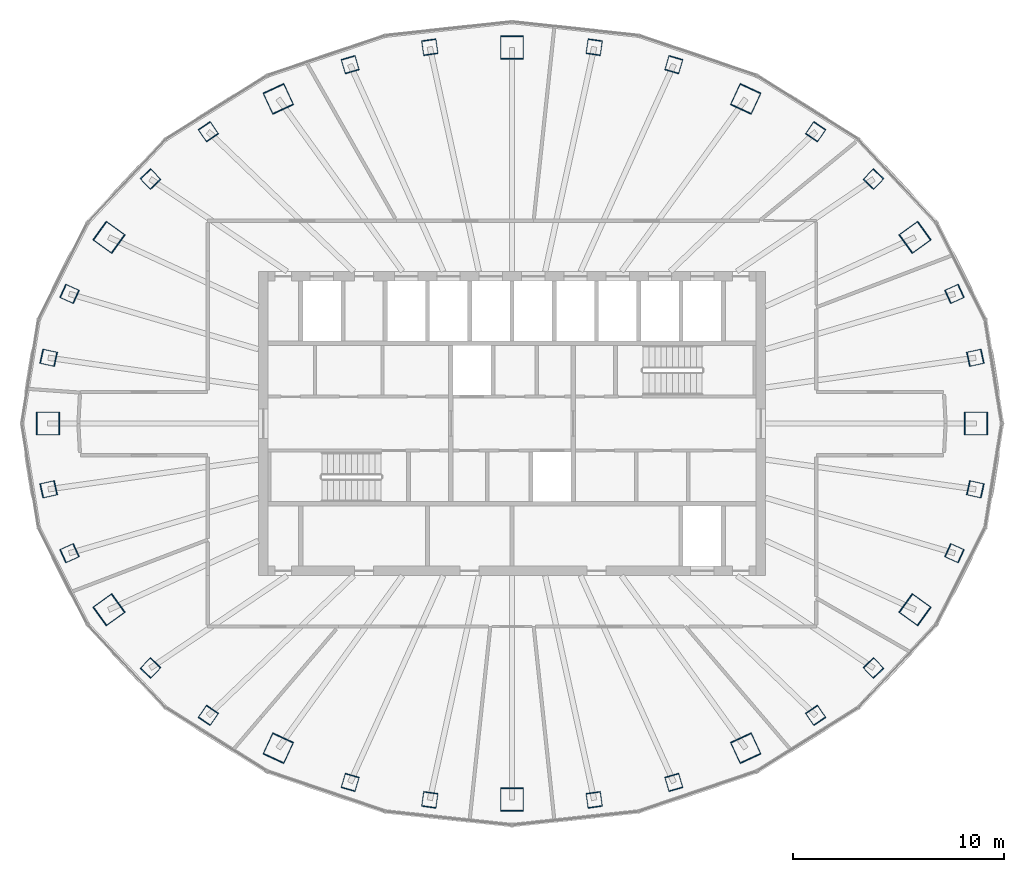
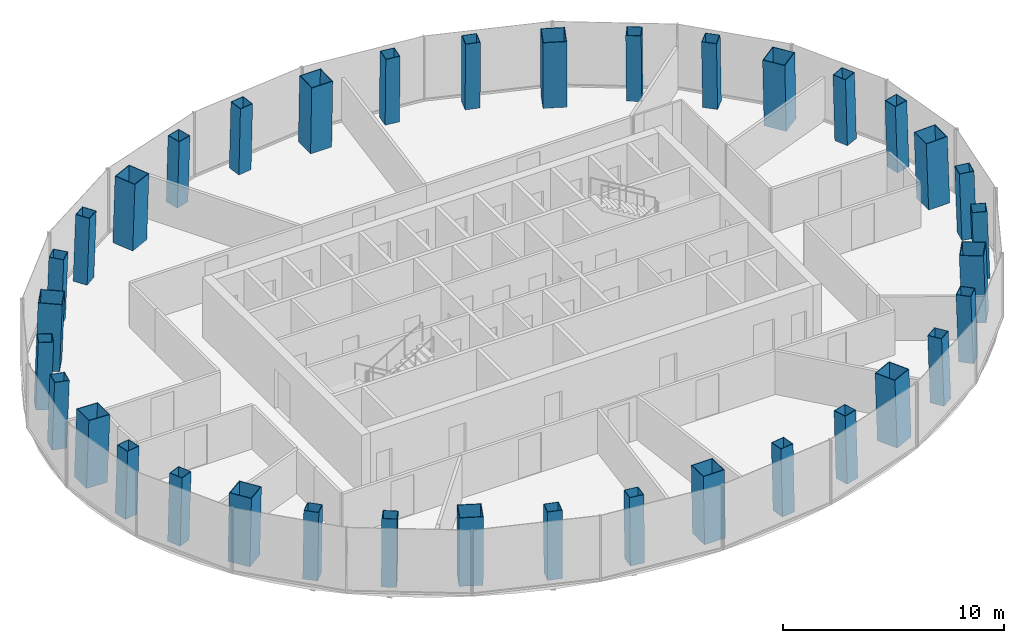
# One storey, part 1 of 11: 36 columns.
"""IFC4 building model written with IfcOpenShell, lengths in metres."""

import ifcopenshell
import ifcopenshell.guid

model = None  # the IFC model being written
_history = None  # IfcOwnerHistory: only IFC2X3 demands one
_inside = {}  # id of a spatial element -> (the spatial element, [elements in it])
_under = {}  # id of a project, library or spatial element -> (it, [spatial elements below it])
_declared = {}  # id of a project -> (the project, [libraries it declares])
_typed = {}  # id of a type object -> (the type object, [elements of that type])
_made_of = {}  # id of a material, layer set ... -> (it, [elements and type objects made of it])


def new_model(schema):
    """Start an empty IFC model of exactly this schema.

    Asked for "IFC4X3", IfcOpenShell would pick the latest addendum, in which some entities
    have other attributes; the version numbers below select the first issue.
    IFC2X3 requires an IfcOwnerHistory on every rooted entity: one is made here for all.
    """
    global model, _history
    if schema == "IFC4X3":
        model = ifcopenshell.file(schema_version=(4, 3, 0, 0))
    else:
        model = ifcopenshell.file(schema=schema)
    _inside.clear()
    _under.clear()
    _declared.clear()
    _typed.clear()
    _made_of.clear()
    _history = None
    if model.schema == "IFC2X3":
        org = make("IfcOrganization", Name="unknown")
        user = make(
            "IfcPersonAndOrganization",
            ThePerson=make("IfcPerson", FamilyName="unknown"),
            TheOrganization=org,
        )
        app = make(
            "IfcApplication",
            ApplicationDeveloper=org,
            Version="unknown",
            ApplicationFullName="unknown",
            ApplicationIdentifier="unknown",
        )
        _history = make(
            "IfcOwnerHistory",
            OwningUser=user,
            OwningApplication=app,
            ChangeAction="ADDED",
            CreationDate=0,
        )
    return model


def make(cls, **values):
    """One entity of the class cls with the attributes given. An attribute that is None is left unset."""
    return model.create_entity(
        cls, **{name: value for name, value in values.items() if value is not None}
    )


def rooted(cls, **values):
    """An entity with a GlobalId (a new one), such as an element, a storey or a relation."""
    return make(cls, GlobalId=ifcopenshell.guid.new(), OwnerHistory=_history, **values)


def si_unit(unit_type, name, prefix=None):
    """IfcSIUnit, for example si_unit("LENGTHUNIT", "METRE", prefix="MILLI")."""
    return make("IfcSIUnit", UnitType=unit_type, Prefix=prefix, Name=name)


def assignment(units):
    """IfcUnitAssignment: the units of a project."""
    return None if units is None else make("IfcUnitAssignment", Units=units)


def point(xyz):
    """IfcCartesianPoint."""
    return None if xyz is None else make("IfcCartesianPoint", Coordinates=xyz)


def direction(xyz):
    """IfcDirection."""
    return None if xyz is None else make("IfcDirection", DirectionRatios=xyz)


def frame(location, z_axis=None, x_axis=None):
    """IfcAxis2Placement3D, a coordinate frame: its origin and axes. An axis left out is left unset."""
    return make(
        "IfcAxis2Placement3D",
        Location=point(location),
        Axis=direction(z_axis),
        RefDirection=direction(x_axis),
    )


def frame_2d(location, x_axis=None):
    """IfcAxis2Placement2D, a coordinate frame in the plane: its origin and x axis."""
    return make(
        "IfcAxis2Placement2D", Location=point(location), RefDirection=direction(x_axis)
    )


def origin():
    """The frame at (0, 0, 0) with its axes left unset."""
    return frame((0.0, 0.0, 0.0))


def origin_2d():
    """The frame at (0, 0) in the plane with its x axis left unset."""
    return frame_2d((0.0, 0.0))


def place(relative_to, where):
    """IfcLocalPlacement: puts the frame where relative to a parent placement (None: the world)."""
    return make(
        "IfcLocalPlacement", PlacementRelTo=relative_to, RelativePlacement=where
    )


def context(
    kind, dimensions, precision=None, world=None, true_north=None, identifier=None
):
    """IfcGeometricRepresentationContext, for example the 3D "Model" context."""
    return make(
        "IfcGeometricRepresentationContext",
        ContextIdentifier=identifier,
        ContextType=kind,
        CoordinateSpaceDimension=dimensions,
        Precision=precision,
        WorldCoordinateSystem=world,
        TrueNorth=true_north,
    )


def subcontext(parent, identifier, kind, view, scale=None):
    """IfcGeometricRepresentationSubContext, for example "Body" below "Model"."""
    return make(
        "IfcGeometricRepresentationSubContext",
        ContextIdentifier=identifier,
        ContextType=kind,
        ParentContext=parent,
        TargetScale=scale,
        TargetView=view,
    )


def project(units=None, contexts=None):
    """IfcProject with its units and contexts."""
    return rooted(
        "IfcProject",
        Name="project",
        RepresentationContexts=contexts,
        UnitsInContext=assignment(units),
    )


def spatial(cls, under=None, at=None, **own):
    """A site, building, storey or space (cls), placed at a placement, below another one or the project."""
    s = rooted(cls, ObjectPlacement=at, **own)
    if under is not None:
        _under.setdefault(under.id(), (under, []))[1].append(s)
    return s


def profile(cls, at=None, kind="AREA", **sizes):
    """A parametric profile (cls). Its sizes go by their IFC names, for example OverallWidth=200.0."""
    return make(cls, ProfileType=kind, Position=at, **sizes)


def hollow_rectangle(**sizes):
    """IfcRectangleHollowProfileDef."""
    return profile("IfcRectangleHollowProfileDef", **sizes)


def extrude(swept, where, along, depth):
    """IfcExtrudedAreaSolid: the profile swept, set in the frame where, extruded along a direction by depth."""
    return make(
        "IfcExtrudedAreaSolid",
        SweptArea=swept,
        Position=where,
        ExtrudedDirection=direction(along),
        Depth=depth,
    )


def shape(context_of_items, identifier, shape_type, items):
    """IfcShapeRepresentation: the items that make up one representation, for example the "Body"."""
    return make(
        "IfcShapeRepresentation",
        ContextOfItems=context_of_items,
        RepresentationIdentifier=identifier,
        RepresentationType=shape_type,
        Items=items,
    )


def material(Name=None, Category=None):
    """IfcMaterial."""
    return make("IfcMaterial", Name=Name, Category=Category)


def material_profile(
    of_material, cross_section, Name=None, Category=None, Priority=None
):
    """IfcMaterialProfile: a cross section and its material."""
    return make(
        "IfcMaterialProfile",
        Name=Name,
        Material=of_material,
        Profile=cross_section,
        Priority=Priority,
        Category=Category,
    )


def profile_set(profiles, Name=None, composite=None):
    """IfcMaterialProfileSet."""
    return make(
        "IfcMaterialProfileSet",
        Name=Name,
        MaterialProfiles=profiles,
        CompositeProfile=composite,
    )


def made_of(thing, what):
    """Note that an element or type object is made of a material, layer set ...; save() writes the relation."""
    if what is not None:
        _made_of.setdefault(what.id(), (what, []))[1].append(thing)
    return thing


def type_object(cls, material=None, **own):
    """A type object (cls), such as IfcWallType, which elements share."""
    return made_of(rooted(cls, **own), material)


def element(
    cls,
    number,
    at=None,
    inside=None,
    cuts=None,
    type_object=None,
    material=None,
    context=None,
    identifier="Body",
    shape_type=None,
    held_by="IfcProductDefinitionShape",
    body=None,
    shapes=None,
    **own,
):
    """One element of the class cls, such as IfcWall. Its Tag is "e" and its number.

    at: its placement. inside: the storey or other place that contains it. cuts: it is an
    opening in that element (IfcRelVoidsElement). A single representation is given by context,
    identifier, shape_type and body (its items); several are given by shapes. held_by: the class
    of the entity that holds the representations. save() writes the other relations.
    """
    e = rooted(cls, Tag="e%d" % number, ObjectPlacement=at, **own)
    if body is not None:
        shapes = [shape(context, identifier, shape_type, body)]
    if shapes is not None:
        e.Representation = make(held_by, Representations=shapes)
    if inside is not None:
        _inside.setdefault(inside.id(), (inside, []))[1].append(e)
    if cuts is not None:
        rooted(
            "IfcRelVoidsElement", RelatingBuildingElement=cuts, RelatedOpeningElement=e
        )
    if type_object is not None:
        _typed.setdefault(type_object.id(), (type_object, []))[1].append(e)
    return made_of(e, material)


def aggregate(whole, parts):
    """IfcRelAggregates: a whole, such as a stair, and the parts it consists of."""
    return rooted("IfcRelAggregates", RelatingObject=whole, RelatedObjects=parts)


def save(model, path):
    """Write the relations noted so far, then the file.

    IfcRelAggregates (storeys below a building ...), IfcRelContainedInSpatialStructure (elements
    in a storey), IfcRelDefinesByType, IfcRelAssociatesMaterial and IfcRelDeclares: one each for
    every whole, place, type object, material and project.
    """
    for whole, parts in _under.values():
        aggregate(whole, parts)
    for where, things in _inside.values():
        rooted(
            "IfcRelContainedInSpatialStructure",
            RelatedElements=things,
            RelatingStructure=where,
        )
    for kind, things in _typed.values():
        rooted("IfcRelDefinesByType", RelatedObjects=things, RelatingType=kind)
    for what, things in _made_of.values():
        rooted("IfcRelAssociatesMaterial", RelatedObjects=things, RelatingMaterial=what)
    for by, libraries in _declared.values():
        rooted("IfcRelDeclares", RelatingContext=by, RelatedDefinitions=libraries)
    model.write(path)


model = new_model("IFC4")

# Units and contexts
model_context = context("Model", 3, precision=1e-05, world=origin(), true_north=direction((0.0, 1.0)))
body_context = subcontext(model_context, "Body", "Model", "MODEL_VIEW")
ifc_project = project(units=[si_unit("LENGTHUNIT", "METRE"), si_unit("AREAUNIT", "SQUARE_METRE"), si_unit("VOLUMEUNIT", "CUBIC_METRE"), si_unit("PLANEANGLEUNIT", "RADIAN"), si_unit("MASSUNIT", "GRAM", prefix="KILO")], contexts=[model_context])

# Site, building, storey
site_placement = place(None, origin())
site = spatial("IfcSite", under=ifc_project, at=site_placement, CompositionType="ELEMENT")
building_placement = place(site_placement, origin())
building = spatial("IfcBuilding", under=site, at=building_placement, Name="Siaravel Broadcast Tower", CompositionType="ELEMENT")
storey_placement = place(building_placement, frame((0.0, 0.0, 186.699951171875)))
storey = spatial("IfcBuildingStorey", under=building, at=storey_placement, Name="L45", CompositionType="ELEMENT", Elevation=186.699951171875)

# Columns
ifc_material = material(Name="Concrete C60/75", Category="concrete")
ifc_material_profile_1 = material_profile(ifc_material, hollow_rectangle(XDim=1.10009765625, YDim=1.10009765625, WallThickness=0.031982421875, at=origin_2d()))
ifc_profile_set_1 = profile_set([ifc_material_profile_1], Name="Concrete C60/75")
column_type_1 = type_object("IfcColumnType", Name="COL-CFT BOX 1100x1100x32", PredefinedType="COLUMN", material=ifc_profile_set_1)
column_1_placement = place(storey_placement, frame((21.98046875, 0.0, 0.0), z_axis=(-0.034621265, 0.0, 0.999400504), x_axis=(0.0, -1.0, 0.0)))
element("IfcColumn", 1, at=column_1_placement, inside=storey, type_object=column_type_1, Name="Megacolumn MC01", PredefinedType="COLUMN", context=body_context, shape_type="SweptSolid", body=[
    extrude(hollow_rectangle(XDim=1.10009765625, YDim=1.10009765625, WallThickness=0.031982421875, at=origin_2d()), origin(), (0.0, 0.0, 1.0), 3.7021484375),
])
column_2_placement = place(storey_placement, frame((19.089111328125, 8.819091796875, 0.0), z_axis=(-0.029940667, -0.01417895, 0.999451106), x_axis=(0.583774225, -0.811894089, 0.005970061)))
element("IfcColumn", 2, at=column_2_placement, inside=storey, type_object=column_type_1, Name="Megacolumn MC02", PredefinedType="COLUMN", context=body_context, shape_type="SweptSolid", body=[
    extrude(hollow_rectangle(XDim=1.10009765625, YDim=1.10009765625, WallThickness=0.031982421875, at=origin_2d()), origin(), (0.0, 0.0, 1.0), 3.701904296875),
])
column_3_placement = place(storey_placement, frame((11.070068359375, 15.378173828125, 0.0), z_axis=(-0.017346173, -0.024535271, 0.999548463), x_axis=(0.907569861, -0.419865826, 0.0054438)))
element("IfcColumn", 3, at=column_3_placement, inside=storey, type_object=column_type_1, Name="Megacolumn MC03", PredefinedType="COLUMN", context=body_context, shape_type="SweptSolid", body=[
    extrude(hollow_rectangle(XDim=1.10009765625, YDim=1.10009765625, WallThickness=0.031982421875, at=origin_2d()), origin(), (0.0, 0.0, 1.0), 3.70166015625),
])
column_4_placement = place(storey_placement, frame((0.0, 17.805419921875, 0.0), z_axis=(0.0, -0.028296154, 0.999599584), x_axis=(1.0, 0.0, 0.0)))
element("IfcColumn", 4, at=column_4_placement, inside=storey, type_object=column_type_1, Name="Megacolumn MC04", PredefinedType="COLUMN", context=body_context, shape_type="SweptSolid", body=[
    extrude(hollow_rectangle(XDim=1.10009765625, YDim=1.10009765625, WallThickness=0.031982421875, at=origin_2d()), origin(), (0.0, 0.0, 1.0), 3.701416015625),
])
column_5_placement = place(storey_placement, frame((-11.070068359375, 15.378173828125, 0.0), z_axis=(0.017346173, -0.024535271, 0.999548463), x_axis=(0.907569861, 0.419865826, -0.0054438)))
element("IfcColumn", 5, at=column_5_placement, inside=storey, type_object=column_type_1, Name="Megacolumn MC05", PredefinedType="COLUMN", context=body_context, shape_type="SweptSolid", body=[
    extrude(hollow_rectangle(XDim=1.10009765625, YDim=1.10009765625, WallThickness=0.031982421875, at=origin_2d()), origin(), (0.0, 0.0, 1.0), 3.70166015625),
])
column_6_placement = place(storey_placement, frame((-19.089111328125, 8.819091796875, 0.0), z_axis=(0.029940667, -0.01417895, 0.999451106), x_axis=(0.583774225, 0.811894089, -0.005970061)))
element("IfcColumn", 6, at=column_6_placement, inside=storey, type_object=column_type_1, Name="Megacolumn MC06", PredefinedType="COLUMN", context=body_context, shape_type="SweptSolid", body=[
    extrude(hollow_rectangle(XDim=1.10009765625, YDim=1.10009765625, WallThickness=0.031982421875, at=origin_2d()), origin(), (0.0, 0.0, 1.0), 3.701904296875),
])
column_7_placement = place(storey_placement, frame((-21.98046875, 0.0, 0.0), z_axis=(0.034621265, 0.0, 0.999400504), x_axis=(0.0, 1.0, 0.0)))
element("IfcColumn", 7, at=column_7_placement, inside=storey, type_object=column_type_1, Name="Megacolumn MC07", PredefinedType="COLUMN", context=body_context, shape_type="SweptSolid", body=[
    extrude(hollow_rectangle(XDim=1.10009765625, YDim=1.10009765625, WallThickness=0.031982421875, at=origin_2d()), origin(), (0.0, 0.0, 1.0), 3.7021484375),
])
column_8_placement = place(storey_placement, frame((-19.089111328125, -8.819091796875, 0.0), z_axis=(0.029940667, 0.01417895, 0.999451106), x_axis=(-0.583774225, 0.811894089, 0.005970061)))
element("IfcColumn", 8, at=column_8_placement, inside=storey, type_object=column_type_1, Name="Megacolumn MC08", PredefinedType="COLUMN", context=body_context, shape_type="SweptSolid", body=[
    extrude(hollow_rectangle(XDim=1.10009765625, YDim=1.10009765625, WallThickness=0.031982421875, at=origin_2d()), origin(), (0.0, 0.0, 1.0), 3.701904296875),
])
column_9_placement = place(storey_placement, frame((-11.070068359375, -15.378173828125, 0.0), z_axis=(0.017346173, 0.024535271, 0.999548463), x_axis=(-0.907569861, 0.419865826, 0.0054438)))
element("IfcColumn", 9, at=column_9_placement, inside=storey, type_object=column_type_1, Name="Megacolumn MC09", PredefinedType="COLUMN", context=body_context, shape_type="SweptSolid", body=[
    extrude(hollow_rectangle(XDim=1.10009765625, YDim=1.10009765625, WallThickness=0.031982421875, at=origin_2d()), origin(), (0.0, 0.0, 1.0), 3.70166015625),
])
column_10_placement = place(storey_placement, frame((0.0, -17.805419921875, 0.0), z_axis=(0.0, 0.028296154, 0.999599584), x_axis=(-1.0, 0.0, 0.0)))
element("IfcColumn", 10, at=column_10_placement, inside=storey, type_object=column_type_1, Name="Megacolumn MC10", PredefinedType="COLUMN", context=body_context, shape_type="SweptSolid", body=[
    extrude(hollow_rectangle(XDim=1.10009765625, YDim=1.10009765625, WallThickness=0.031982421875, at=origin_2d()), origin(), (0.0, 0.0, 1.0), 3.701416015625),
])
column_11_placement = place(storey_placement, frame((11.070068359375, -15.378173828125, 0.0), z_axis=(-0.017346173, 0.024535271, 0.999548463), x_axis=(-0.907569861, -0.419865826, -0.0054438)))
element("IfcColumn", 11, at=column_11_placement, inside=storey, type_object=column_type_1, Name="Megacolumn MC11", PredefinedType="COLUMN", context=body_context, shape_type="SweptSolid", body=[
    extrude(hollow_rectangle(XDim=1.10009765625, YDim=1.10009765625, WallThickness=0.031982421875, at=origin_2d()), origin(), (0.0, 0.0, 1.0), 3.70166015625),
])
column_12_placement = place(storey_placement, frame((19.089111328125, -8.819091796875, 0.0), z_axis=(-0.029940667, 0.01417895, 0.999451106), x_axis=(-0.583774225, -0.811894089, -0.005970061)))
element("IfcColumn", 12, at=column_12_placement, inside=storey, type_object=column_type_1, Name="Megacolumn MC12", PredefinedType="COLUMN", context=body_context, shape_type="SweptSolid", body=[
    extrude(hollow_rectangle(XDim=1.10009765625, YDim=1.10009765625, WallThickness=0.031982421875, at=origin_2d()), origin(), (0.0, 0.0, 1.0), 3.701904296875),
])
ifc_material_profile_2 = material_profile(ifc_material, hollow_rectangle(XDim=0.699951171875, YDim=0.699951171875, WallThickness=0.02490234375, at=origin_2d()))
ifc_profile_set_2 = profile_set([ifc_material_profile_2], Name="Concrete C60/75")
column_type_2 = type_object("IfcColumnType", Name="COL-CFT BOX 700x700x25", PredefinedType="COLUMN", material=ifc_profile_set_2)
for number, where, z_axis, x_axis, name in (
    (13, (21.94775390625, 3.114501953125, 0.0), (-0.034093903, -0.004945924, 0.999406396), (0.213435192, -0.976954162, 0.00244635), "Perimeter column C01"),
    (14, (20.95751953125, 6.14111328125, 0.0), (-0.032511791, -0.009694185, 0.999424337), (0.41031519, -0.911932659, 0.004502229), "Perimeter column C02"),
):
    element("IfcColumn", number, at=place(storey_placement, frame(where, z_axis=z_axis, x_axis=x_axis)), inside=storey, type_object=column_type_2, Name=name, PredefinedType="COLUMN", context=body_context, shape_type="SweptSolid", body=[
        extrude(hollow_rectangle(XDim=0.699951171875, YDim=0.699951171875, WallThickness=0.02490234375, at=origin_2d()), origin(), (0.0, 0.0, 1.0), 3.7021484375),
    ])
column_13_placement = place(storey_placement, frame((17.121826171875, 11.57958984375, 0.0), z_axis=(-0.026512179, -0.018202391, 0.999482755), x_axis=(0.720370987, -0.693558709, 0.006477528)))
element("IfcColumn", 15, at=column_13_placement, inside=storey, type_object=column_type_2, Name="Perimeter column C03", PredefinedType="COLUMN", context=body_context, shape_type="SweptSolid", body=[
    extrude(hollow_rectangle(XDim=0.699951171875, YDim=0.699951171875, WallThickness=0.02490234375, at=origin_2d()), origin(), (0.0, 0.0, 1.0), 3.701904296875),
])
column_14_placement = place(storey_placement, frame((14.3828125, 13.8232421875, 0.0), z_axis=(-0.022292076, -0.0216985, 0.999516002), x_axis=(0.827617793, -0.561257006, 0.00627392)))
element("IfcColumn", 16, at=column_14_placement, inside=storey, type_object=column_type_2, Name="Perimeter column C04", PredefinedType="COLUMN", context=body_context, shape_type="SweptSolid", body=[
    extrude(hollow_rectangle(XDim=0.699951171875, YDim=0.699951171875, WallThickness=0.02490234375, at=origin_2d()), origin(), (0.0, 0.0, 1.0), 3.70166015625),
])
for number, where, z_axis, x_axis, name in (
    (17, (7.665283203125, 16.998779296875, 0.0), (-0.011806266, -0.026646544, 0.999575197), (0.960150536, -0.279456274, 0.003890901), "Perimeter column C05"),
    (18, (3.8935546875, 17.826416015625, 0.0), (-0.006002173, -0.027900212, 0.999592693), (0.990166978, -0.139875618, 0.002041426), "Perimeter column C06"),
    (19, (-3.8935546875, 17.826416015625, 0.0), (0.006002173, -0.027900212, 0.999592693), (0.990166978, 0.139875618, -0.002041426), "Perimeter column C07"),
    (20, (-7.665283203125, 16.998779296875, 0.0), (0.011806266, -0.026646544, 0.999575197), (0.960150536, 0.279456274, -0.003890901), "Perimeter column C08"),
):
    element("IfcColumn", number, at=place(storey_placement, frame(where, z_axis=z_axis, x_axis=x_axis)), inside=storey, type_object=column_type_2, Name=name, PredefinedType="COLUMN", context=body_context, shape_type="SweptSolid", body=[
        extrude(hollow_rectangle(XDim=0.699951171875, YDim=0.699951171875, WallThickness=0.02490234375, at=origin_2d()), origin(), (0.0, 0.0, 1.0), 3.701416015625),
    ])
column_15_placement = place(storey_placement, frame((-14.3828125, 13.8232421875, 0.0), z_axis=(0.022292076, -0.0216985, 0.999516002), x_axis=(0.827617793, 0.561257006, -0.00627392)))
element("IfcColumn", 21, at=column_15_placement, inside=storey, type_object=column_type_2, Name="Perimeter column C09", PredefinedType="COLUMN", context=body_context, shape_type="SweptSolid", body=[
    extrude(hollow_rectangle(XDim=0.699951171875, YDim=0.699951171875, WallThickness=0.02490234375, at=origin_2d()), origin(), (0.0, 0.0, 1.0), 3.70166015625),
])
column_16_placement = place(storey_placement, frame((-17.121826171875, 11.57958984375, 0.0), z_axis=(0.026512179, -0.018202391, 0.999482755), x_axis=(0.720370987, 0.693558709, -0.006477528)))
element("IfcColumn", 22, at=column_16_placement, inside=storey, type_object=column_type_2, Name="Perimeter column C10", PredefinedType="COLUMN", context=body_context, shape_type="SweptSolid", body=[
    extrude(hollow_rectangle(XDim=0.699951171875, YDim=0.699951171875, WallThickness=0.02490234375, at=origin_2d()), origin(), (0.0, 0.0, 1.0), 3.701904296875),
])
for number, where, z_axis, x_axis, name in (
    (23, (-20.95751953125, 6.14111328125, 0.0), (0.032511791, -0.009694185, 0.999424337), (0.41031519, 0.911932659, -0.004502229), "Perimeter column C11"),
    (24, (-21.94775390625, 3.114501953125, 0.0), (0.034093903, -0.004945924, 0.999406396), (0.213435192, 0.976954162, -0.00244635), "Perimeter column C12"),
    (25, (-21.94775390625, -3.114501953125, 0.0), (0.034093903, 0.004945924, 0.999406396), (-0.213435192, 0.976954162, 0.00244635), "Perimeter column C13"),
    (26, (-20.95751953125, -6.14111328125, 0.0), (0.032511791, 0.009694185, 0.999424337), (-0.41031519, 0.911932659, 0.004502229), "Perimeter column C14"),
):
    element("IfcColumn", number, at=place(storey_placement, frame(where, z_axis=z_axis, x_axis=x_axis)), inside=storey, type_object=column_type_2, Name=name, PredefinedType="COLUMN", context=body_context, shape_type="SweptSolid", body=[
        extrude(hollow_rectangle(XDim=0.699951171875, YDim=0.699951171875, WallThickness=0.02490234375, at=origin_2d()), origin(), (0.0, 0.0, 1.0), 3.7021484375),
    ])
column_17_placement = place(storey_placement, frame((-17.121826171875, -11.57958984375, 0.0), z_axis=(0.026512179, 0.018202391, 0.999482755), x_axis=(-0.720370987, 0.693558709, 0.006477528)))
element("IfcColumn", 27, at=column_17_placement, inside=storey, type_object=column_type_2, Name="Perimeter column C15", PredefinedType="COLUMN", context=body_context, shape_type="SweptSolid", body=[
    extrude(hollow_rectangle(XDim=0.699951171875, YDim=0.699951171875, WallThickness=0.02490234375, at=origin_2d()), origin(), (0.0, 0.0, 1.0), 3.701904296875),
])
column_18_placement = place(storey_placement, frame((-14.3828125, -13.8232421875, 0.0), z_axis=(0.022292076, 0.0216985, 0.999516002), x_axis=(-0.827617793, 0.561257006, 0.00627392)))
element("IfcColumn", 28, at=column_18_placement, inside=storey, type_object=column_type_2, Name="Perimeter column C16", PredefinedType="COLUMN", context=body_context, shape_type="SweptSolid", body=[
    extrude(hollow_rectangle(XDim=0.699951171875, YDim=0.699951171875, WallThickness=0.02490234375, at=origin_2d()), origin(), (0.0, 0.0, 1.0), 3.70166015625),
])
for number, where, z_axis, x_axis, name in (
    (29, (-7.665283203125, -16.998779296875, 0.0), (0.011806266, 0.026646544, 0.999575197), (-0.960150536, 0.279456274, 0.003890901), "Perimeter column C17"),
    (30, (-3.8935546875, -17.826416015625, 0.0), (0.006002173, 0.027900212, 0.999592693), (-0.990166978, 0.139875618, 0.002041426), "Perimeter column C18"),
    (31, (3.8935546875, -17.826416015625, 0.0), (-0.006002173, 0.027900212, 0.999592693), (-0.990166978, -0.139875618, -0.002041426), "Perimeter column C19"),
    (32, (7.665283203125, -16.998779296875, 0.0), (-0.011806266, 0.026646544, 0.999575197), (-0.960150536, -0.279456274, -0.003890901), "Perimeter column C20"),
):
    element("IfcColumn", number, at=place(storey_placement, frame(where, z_axis=z_axis, x_axis=x_axis)), inside=storey, type_object=column_type_2, Name=name, PredefinedType="COLUMN", context=body_context, shape_type="SweptSolid", body=[
        extrude(hollow_rectangle(XDim=0.699951171875, YDim=0.699951171875, WallThickness=0.02490234375, at=origin_2d()), origin(), (0.0, 0.0, 1.0), 3.701416015625),
    ])
column_19_placement = place(storey_placement, frame((14.3828125, -13.8232421875, 0.0), z_axis=(-0.022292076, 0.0216985, 0.999516002), x_axis=(-0.827617793, -0.561257006, -0.00627392)))
element("IfcColumn", 33, at=column_19_placement, inside=storey, type_object=column_type_2, Name="Perimeter column C21", PredefinedType="COLUMN", context=body_context, shape_type="SweptSolid", body=[
    extrude(hollow_rectangle(XDim=0.699951171875, YDim=0.699951171875, WallThickness=0.02490234375, at=origin_2d()), origin(), (0.0, 0.0, 1.0), 3.70166015625),
])
column_20_placement = place(storey_placement, frame((17.121826171875, -11.57958984375, 0.0), z_axis=(-0.026512179, 0.018202391, 0.999482755), x_axis=(-0.720370987, -0.693558709, -0.006477528)))
element("IfcColumn", 34, at=column_20_placement, inside=storey, type_object=column_type_2, Name="Perimeter column C22", PredefinedType="COLUMN", context=body_context, shape_type="SweptSolid", body=[
    extrude(hollow_rectangle(XDim=0.699951171875, YDim=0.699951171875, WallThickness=0.02490234375, at=origin_2d()), origin(), (0.0, 0.0, 1.0), 3.701904296875),
])
for number, where, z_axis, x_axis, name in (
    (35, (20.95751953125, -6.14111328125, 0.0), (-0.032511791, 0.009694185, 0.999424337), (-0.41031519, -0.911932659, -0.004502229), "Perimeter column C23"),
    (36, (21.94775390625, -3.114501953125, 0.0), (-0.034093903, 0.004945924, 0.999406396), (-0.213435192, -0.976954162, -0.00244635), "Perimeter column C24"),
):
    element("IfcColumn", number, at=place(storey_placement, frame(where, z_axis=z_axis, x_axis=x_axis)), inside=storey, type_object=column_type_2, Name=name, PredefinedType="COLUMN", context=body_context, shape_type="SweptSolid", body=[
        extrude(hollow_rectangle(XDim=0.699951171875, YDim=0.699951171875, WallThickness=0.02490234375, at=origin_2d()), origin(), (0.0, 0.0, 1.0), 3.7021484375),
    ])

save(model, "model.ifc")
